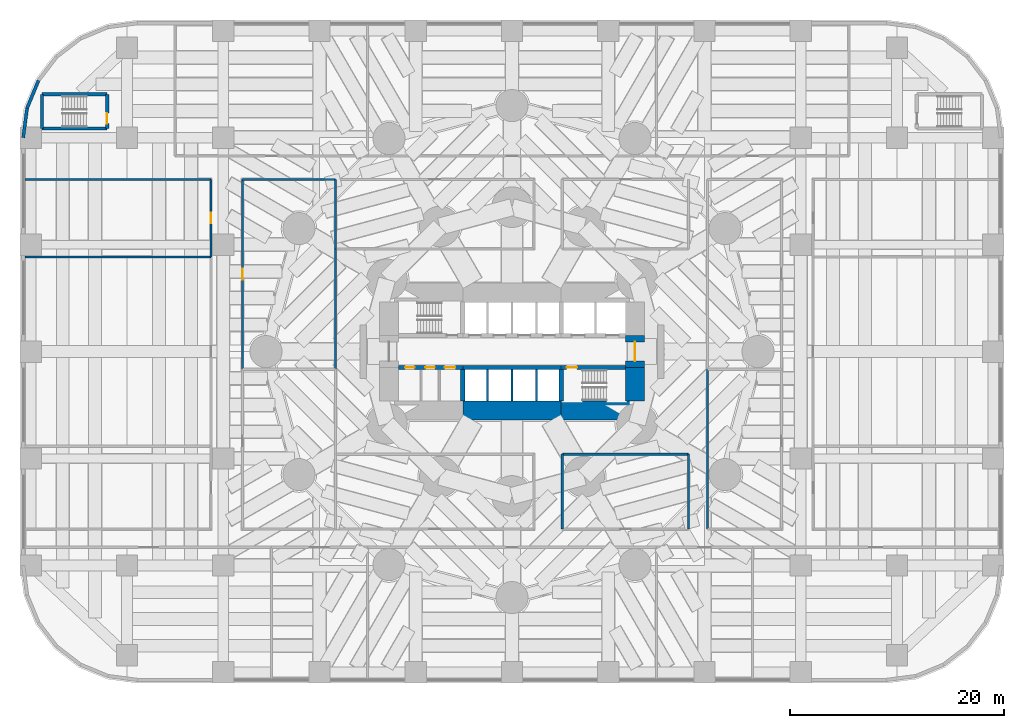
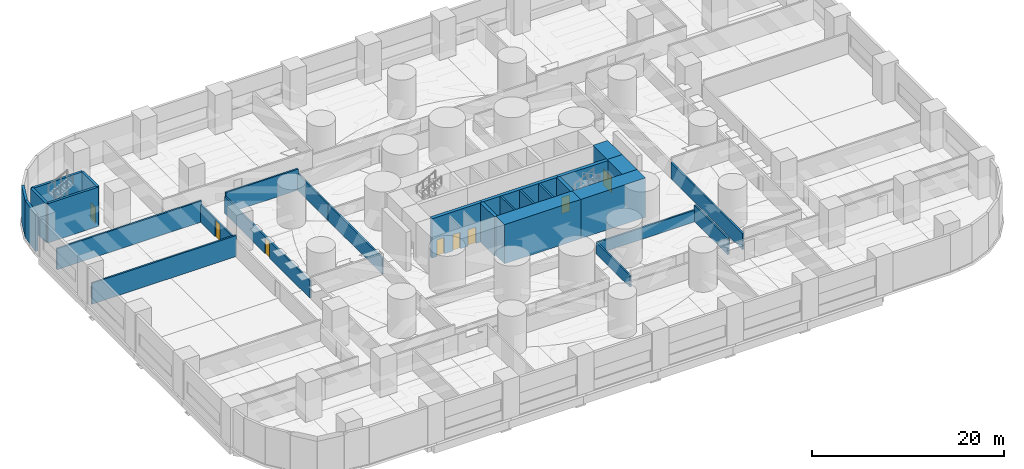
# One storey, part 8 of 17: 29 walls, 8 doors, 8 openings.
"""IFC4 building model written with IfcOpenShell, lengths in metres."""

from ifc_helpers import new_model, si_unit, direction, frame, frame_2d, origin, place, context, subcontext, project, spatial, rectangle, extrude, material, layer, layer_set, type_object, element, fill, save


model = new_model("IFC4")

# Units and contexts
model_context = context("Model", 3, precision=1e-05, world=origin(), true_north=direction((0.0, 1.0)))
body_context = subcontext(model_context, "Body", "Model", "MODEL_VIEW")
ifc_project = project(units=[si_unit("LENGTHUNIT", "METRE"), si_unit("AREAUNIT", "SQUARE_METRE"), si_unit("VOLUMEUNIT", "CUBIC_METRE"), si_unit("PLANEANGLEUNIT", "RADIAN"), si_unit("MASSUNIT", "GRAM", prefix="KILO")], contexts=[model_context])

# Site, building, storey
site_placement = place(None, origin())
site = spatial("IfcSite", under=ifc_project, at=site_placement, CompositionType="ELEMENT")
building_placement = place(site_placement, origin())
building = spatial("IfcBuilding", under=site, at=building_placement, Name="Qaws Media Tower", CompositionType="ELEMENT")
storey_placement = place(building_placement, frame((0.0, 0.0, 15.0)))
storey = spatial("IfcBuildingStorey", under=building, at=storey_placement, Name="L02", CompositionType="ELEMENT", Elevation=15.0)

# Wall, openings, doors
ifc_material_1 = material(Name="Concrete C60/75", Category="concrete")
ifc_layer_1 = layer(ifc_material_1, 0.39990234375)
ifc_layer_set_1 = layer_set([ifc_layer_1], Name="Core inner wall 400")
wall_type_1 = type_object("IfcWallType", Name="Core inner wall 400", PredefinedType="SHEAR", material=ifc_layer_set_1)
wall_1_placement = place(storey_placement, frame((49.3798828125, 48.5, 0.0), z_axis=(0.0, 0.0, 1.0), x_axis=(1.0, 0.0, 0.0)))
wall_1 = element("IfcWall", 1, at=wall_1_placement, inside=storey, type_object=wall_type_1, Name="W310 SW4 core wall SPSW L02", PredefinedType="SHEAR", context=body_context, shape_type="SweptSolid", body=[
    extrude(rectangle(XDim=6.02001953125, YDim=0.39990234375, at=frame_2d((3.010009765625, 0.0))), origin(), (0.0, 0.0, 1.0), 5.0),
])
opening_1_placement = place(wall_1_placement, frame((0.6201171875, 0.0, 0.0)))
opening_1 = element("IfcOpeningElement", 2, at=opening_1_placement, cuts=wall_1, Name="Opening D3", PredefinedType="OPENING", context=body_context, shape_type="SweptSolid", body=[
    extrude(rectangle(XDim=0.89990234375, YDim=2.10009765625, at=frame_2d((0.449951171875, 1.050048828125))), frame((0.0, 0.2099609375, 0.0), z_axis=(0.0, -1.0, 0.0), x_axis=(1.0, 0.0, 0.0)), (0.0, 0.0, 1.0), 0.419921875),
])
opening_2_placement = place(wall_1_placement, frame((2.52001953125, 0.0, 0.0)))
opening_2 = element("IfcOpeningElement", 3, at=opening_2_placement, cuts=wall_1, Name="Opening D3", PredefinedType="OPENING", context=body_context, shape_type="SweptSolid", body=[
    extrude(rectangle(XDim=0.89990234375, YDim=2.10009765625, at=frame_2d((0.449951171875, 1.050048828125))), frame((0.0, 0.2099609375, 0.0), z_axis=(0.0, -1.0, 0.0), x_axis=(1.0, 0.0, 0.0)), (0.0, 0.0, 1.0), 0.419921875),
])
opening_3_placement = place(wall_1_placement, frame((4.320068359375, 0.0, 0.0)))
opening_3 = element("IfcOpeningElement", 4, at=opening_3_placement, cuts=wall_1, Name="Opening D4", PredefinedType="OPENING", context=body_context, shape_type="SweptSolid", body=[
    extrude(rectangle(XDim=1.0, YDim=2.10009765625, at=frame_2d((0.5, 1.050048828125))), frame((0.0, 0.2099609375, 0.0), z_axis=(0.0, -1.0, 0.0), x_axis=(1.0, 0.0, 0.0)), (0.0, 0.0, 1.0), 0.419921875),
])
ifc_material_2 = material(Name="Timber veneered", Category="wood")
door_type_1 = type_object("IfcDoorType", Name="Accessible WC door 1000", OperationType="SLIDING_TO_LEFT", PredefinedType="DOOR", material=ifc_material_2)
door_1_placement = place(opening_3_placement, origin())
door_1 = element("IfcDoor", 5, at=door_1_placement, inside=storey, type_object=door_type_1, Name="D4 toilet door 3 L02 in wall W310", OperationType="SLIDING_TO_LEFT", OverallHeight=2.10009765625, OverallWidth=1.0, PredefinedType="DOOR", context=body_context, shape_type="SweptSolid", body=[
    extrude(rectangle(XDim=1.0, YDim=2.10009765625, at=frame_2d((0.5, 1.050048828125))), frame((0.0, 0.02490234375, 0.0), z_axis=(0.0, -1.0, 0.0), x_axis=(1.0, 0.0, 0.0)), (0.0, 0.0, 1.0), 0.050048828125),
])
fill(opening_3, door_1)
ifc_material_3 = material(Name="Timber veneered", Category="wood")
door_type_2 = type_object("IfcDoorType", Name="Toilet door 900", OperationType="SINGLE_SWING_RIGHT", PredefinedType="DOOR", material=ifc_material_3)
door_2_placement = place(opening_1_placement, origin())
door_2 = element("IfcDoor", 6, at=door_2_placement, inside=storey, type_object=door_type_2, Name="D3 toilet door 1 L02 in wall W310", OperationType="SINGLE_SWING_RIGHT", OverallHeight=2.10009765625, OverallWidth=0.89990234375, PredefinedType="DOOR", context=body_context, shape_type="SweptSolid", body=[
    extrude(rectangle(XDim=0.89990234375, YDim=2.10009765625, at=frame_2d((0.449951171875, 1.050048828125))), frame((0.0, 0.02490234375, 0.0), z_axis=(0.0, -1.0, 0.0), x_axis=(1.0, 0.0, 0.0)), (0.0, 0.0, 1.0), 0.050048828125),
])
fill(opening_1, door_2)
door_3_placement = place(opening_2_placement, origin())
door_3 = element("IfcDoor", 7, at=door_3_placement, inside=storey, type_object=door_type_2, Name="D3 toilet door 2 L02 in wall W310", OperationType="SINGLE_SWING_RIGHT", OverallHeight=2.10009765625, OverallWidth=0.89990234375, PredefinedType="DOOR", context=body_context, shape_type="SweptSolid", body=[
    extrude(rectangle(XDim=0.89990234375, YDim=2.10009765625, at=frame_2d((0.449951171875, 1.050048828125))), frame((0.0, 0.02490234375, 0.0), z_axis=(0.0, -1.0, 0.0), x_axis=(1.0, 0.0, 0.0)), (0.0, 0.0, 1.0), 0.050048828125),
])
fill(opening_2, door_3)

# Wall
wall_2_placement = place(storey_placement, frame((55.39990234375, 48.5, 0.0), z_axis=(0.0, 0.0, 1.0), x_axis=(1.0, 0.0, 0.0)))
element("IfcWall", 8, at=wall_2_placement, inside=storey, type_object=wall_type_1, Name="W313 SW4 core wall SPS L02", PredefinedType="SHEAR", context=body_context, shape_type="SweptSolid", body=[
    extrude(rectangle(XDim=9.2001953125, YDim=0.39990234375, at=frame_2d((4.60009765625, 0.0))), origin(), (0.0, 0.0, 1.0), 5.0),
])

# Wall, opening, door
wall_3_placement = place(storey_placement, frame((64.60009765625, 48.5, 0.0), z_axis=(0.0, 0.0, 1.0), x_axis=(1.0, 0.0, 0.0)))
wall_3 = element("IfcWall", 9, at=wall_3_placement, inside=storey, type_object=wall_type_1, Name="W317 SW4 core wall SPSE L02", PredefinedType="SHEAR", context=body_context, shape_type="SweptSolid", body=[
    extrude(rectangle(XDim=6.02001953125, YDim=0.39990234375, at=frame_2d((3.010009765625, 0.0))), origin(), (0.0, 0.0, 1.0), 5.0),
])
opening_4_placement = place(wall_3_placement, frame((0.5, 0.0, 0.0)))
opening_4 = element("IfcOpeningElement", 10, at=opening_4_placement, cuts=wall_3, Name="Opening D1", PredefinedType="OPENING", context=body_context, shape_type="SweptSolid", body=[
    extrude(rectangle(XDim=1.0, YDim=2.10009765625, at=frame_2d((0.5, 1.050048828125))), frame((0.0, 0.2099609375, 0.0), z_axis=(0.0, -1.0, 0.0), x_axis=(1.0, 0.0, 0.0)), (0.0, 0.0, 1.0), 0.419921875),
])
ifc_material_4 = material(Name="Steel, fire rated", Category="steel")
door_type_3 = type_object("IfcDoorType", Name="Stair door 1000 FD120", OperationType="SINGLE_SWING_LEFT", PredefinedType="DOOR", material=ifc_material_4)
door_4_placement = place(opening_4_placement, origin())
door_4 = element("IfcDoor", 11, at=door_4_placement, inside=storey, type_object=door_type_3, Name="D1 stair S2 door L02 in wall W317", OperationType="SINGLE_SWING_LEFT", OverallHeight=2.10009765625, OverallWidth=1.0, PredefinedType="DOOR", context=body_context, shape_type="SweptSolid", body=[
    extrude(rectangle(XDim=1.0, YDim=2.10009765625, at=frame_2d((0.5, 1.050048828125))), frame((0.0, 0.02490234375, 0.0), z_axis=(0.0, -1.0, 0.0), x_axis=(1.0, 0.0, 0.0)), (0.0, 0.0, 1.0), 0.050048828125),
])
fill(opening_4, door_4)

# Walls
for number, where, z_axis, x_axis, name in (
    (12, (55.39990234375, 48.320068359375, 0.0), (0.0, 0.0, 1.0), (0.0, -1.0, 0.0), "W312 SW4 core wall XSW L02"),
    (13, (64.60009765625, 48.320068359375, 0.0), (0.0, 0.0, 1.0), (0.0, -1.0, 0.0), "W316 SW4 core wall XSE L02"),
):
    element("IfcWall", number, at=place(storey_placement, frame(where, z_axis=z_axis, x_axis=x_axis)), inside=storey, type_object=wall_type_1, Name=name, PredefinedType="SHEAR", context=body_context, shape_type="SweptSolid", body=[
        extrude(rectangle(XDim=2.940185546875, YDim=0.39990234375, at=frame_2d((1.47021484375, 0.0))), origin(), (0.0, 0.0, 1.0), 5.0),
    ])
ifc_material_5 = material(Name="Concrete C60/75", Category="concrete")
ifc_layer_2 = layer(ifc_material_5, 1.800048828125)
ifc_layer_set_2 = layer_set([ifc_layer_2], Name="Core wall 1800")
wall_type_2 = type_object("IfcWallType", Name="Core wall 1800", PredefinedType="SHEAR", material=ifc_layer_set_2)
wall_4_placement = place(storey_placement, frame((55.39990234375, 44.5, 0.0), z_axis=(0.0, 0.0, 1.0), x_axis=(1.0, 0.0, 0.0)))
element("IfcWall", 14, at=wall_4_placement, inside=storey, type_object=wall_type_2, Name="W403 SW11 core wall S L02", PredefinedType="SHEAR", context=body_context, shape_type="SweptSolid", body=[
    extrude(rectangle(XDim=9.2001953125, YDim=1.800048828125, at=frame_2d((4.60009765625, 0.0))), origin(), (0.0, 0.0, 1.0), 5.0),
])
wall_5_placement = place(storey_placement, frame((64.60009765625, 44.5, 0.0), z_axis=(0.0, 0.0, 1.0), x_axis=(1.0, 0.0, 0.0)))
element("IfcWall", 15, at=wall_5_placement, inside=storey, type_object=wall_type_2, Name="W405 SW11 core wall SE L02", PredefinedType="SHEAR", context=body_context, shape_type="SweptSolid", body=[
    extrude(rectangle(XDim=7.7998046875, YDim=1.800048828125, at=frame_2d((3.89990234375, 0.0))), origin(), (0.0, 0.0, 1.0), 5.0),
])
wall_6_placement = place(storey_placement, frame((71.5, 45.3798828125, 0.0), z_axis=(0.0, 0.0, 1.0), x_axis=(0.0, 1.0, 0.0)))
element("IfcWall", 16, at=wall_6_placement, inside=storey, type_object=wall_type_2, Name="W407 SW11 core wall ES L02", PredefinedType="SHEAR", context=body_context, shape_type="SweptSolid", body=[
    extrude(rectangle(XDim=3.1201171875, YDim=1.800048828125, at=frame_2d((1.56005859375, 0.0))), origin(), (0.0, 0.0, 1.0), 5.0),
])

# Wall, opening, door
wall_7_placement = place(storey_placement, frame((71.5, 48.5, 0.0), z_axis=(0.0, 0.0, 1.0), x_axis=(0.0, 1.0, 0.0)))
wall_7 = element("IfcWall", 17, at=wall_7_placement, inside=storey, type_object=wall_type_2, Name="W408 SW11 core wall E L02", PredefinedType="SHEAR", context=body_context, shape_type="SweptSolid", body=[
    extrude(rectangle(XDim=3.0, YDim=1.800048828125, at=frame_2d((1.5, 0.0))), origin(), (0.0, 0.0, 1.0), 5.0),
])
opening_5_placement = place(wall_7_placement, frame((0.60009765625, 0.0, 0.0)))
opening_5 = element("IfcOpeningElement", 18, at=opening_5_placement, cuts=wall_7, Name="Opening D2", PredefinedType="OPENING", context=body_context, shape_type="SweptSolid", body=[
    extrude(rectangle(XDim=1.800048828125, YDim=2.10009765625, at=frame_2d((0.89990234375, 1.050048828125))), frame((0.0, 0.909912109375, 0.0), z_axis=(0.0, -1.0, 0.0), x_axis=(1.0, 0.0, 0.0)), (0.0, 0.0, 1.0), 1.820068359375),
])
ifc_material_6 = material(Name="Steel and glass, fire rated", Category="steel")
door_type_4 = type_object("IfcDoorType", Name="Lobby door pair 1800 FD60", OperationType="DOUBLE_DOOR_DOUBLE_SWING", PredefinedType="DOOR", material=ifc_material_6)
door_5_placement = place(opening_5_placement, origin())
door_5 = element("IfcDoor", 19, at=door_5_placement, inside=storey, type_object=door_type_4, Name="D2 core lobby door E L02 in wall W408", OperationType="DOUBLE_DOOR_DOUBLE_SWING", OverallHeight=2.10009765625, OverallWidth=1.800048828125, PredefinedType="DOOR", context=body_context, shape_type="SweptSolid", body=[
    extrude(rectangle(XDim=1.800048828125, YDim=2.10009765625, at=frame_2d((0.89990234375, 1.050048828125))), frame((0.0, 0.02490234375, 0.0), z_axis=(0.0, -1.0, 0.0), x_axis=(1.0, 0.0, 0.0)), (0.0, 0.0, 1.0), 0.050048828125),
])
fill(opening_5, door_5)

# Walls
ifc_material_7 = material(Name="Precast concrete, exposed finish", Category="concrete")
ifc_layer_3 = layer(ifc_material_7, 0.300048828125)
ifc_layer_set_3 = layer_set([ifc_layer_3], Name="Podium facade wall 300")
wall_type_3 = type_object("IfcWallType", Name="Podium facade wall 300", PredefinedType="SOLIDWALL", material=ifc_layer_set_3)
wall_8_placement = place(storey_placement, frame((15.733642578125, 75.35009765625, 0.0), z_axis=(0.0, 0.0, 1.0), x_axis=(-0.382709424419, -0.923868765822, 0.0)))
element("IfcWall", 20, at=wall_8_placement, inside=storey, type_object=wall_type_3, Name="W768 EW2 podium wall L02-19", PredefinedType="SOLIDWALL", context=body_context, shape_type="SweptSolid", body=[
    extrude(rectangle(XDim=2.79345703125, YDim=0.300048828125, at=frame_2d((1.396728515625, 0.0))), origin(), (0.0, 0.0, 1.0), 4.699951171875),
])
wall_9_placement = place(storey_placement, frame((14.66455078125, 72.769287109375, 0.0), z_axis=(0.0, 0.0, 1.0), x_axis=(-0.130497471798, -0.991448642066, 0.0)))
element("IfcWall", 21, at=wall_9_placement, inside=storey, type_object=wall_type_3, Name="W766 EW2 podium wall L02-20", PredefinedType="SOLIDWALL", context=body_context, shape_type="SweptSolid", body=[
    extrude(rectangle(XDim=2.793212890625, YDim=0.300048828125, at=frame_2d((1.396484375, 0.0))), origin(), (0.0, 0.0, 1.0), 4.699951171875),
])

# Wall, opening, door
ifc_material_8 = material(Name="Gypsum board on galvanised metal studs, acoustic double stud, deflection head", Category="gypsum")
ifc_layer_4 = layer(ifc_material_8, 0.199951171875)
ifc_layer_set_4 = layer_set([ifc_layer_4], Name="Room partition 200")
wall_type_4 = type_object("IfcWallType", Name="Room partition 200", PredefinedType="PARTITIONING", material=ifc_layer_set_4)
wall_10_placement = place(storey_placement, frame((31.85009765625, 58.85009765625, 0.0), z_axis=(0.0, 0.0, 1.0), x_axis=(0.0, 1.0, 0.0)))
wall_10 = element("IfcWall", 22, at=wall_10_placement, inside=storey, type_object=wall_type_4, Name="W928 IW3 partition L02", PredefinedType="PARTITIONING", context=body_context, shape_type="SweptSolid", body=[
    extrude(rectangle(XDim=7.25, YDim=0.199951171875, at=frame_2d((3.625, 0.0))), origin(), (0.0, 0.0, 1.0), 2.179931640625),
])
opening_6_placement = place(wall_10_placement, frame((3.125, 0.0, 0.0)))
opening_6 = element("IfcOpeningElement", 23, at=opening_6_placement, cuts=wall_10, Name="Opening D5", PredefinedType="OPENING", context=body_context, shape_type="SweptSolid", body=[
    extrude(rectangle(XDim=1.0, YDim=2.10009765625, at=frame_2d((0.5, 1.050048828125))), frame((0.0, 0.10986328125, 0.0), z_axis=(0.0, -1.0, 0.0), x_axis=(1.0, 0.0, 0.0)), (0.0, 0.0, 1.0), 0.219970703125),
])
ifc_material_9 = material(Name="Timber veneered, acoustic seal", Category="wood")
door_type_5 = type_object("IfcDoorType", Name="Room door 1000", OperationType="SINGLE_SWING_LEFT", PredefinedType="DOOR", material=ifc_material_9)
door_6_placement = place(opening_6_placement, origin())
door_6 = element("IfcDoor", 24, at=door_6_placement, inside=storey, type_object=door_type_5, Name="D5 Footage viewing room door in wall W928", OperationType="SINGLE_SWING_LEFT", OverallHeight=2.10009765625, OverallWidth=1.0, PredefinedType="DOOR", context=body_context, shape_type="SweptSolid", body=[
    extrude(rectangle(XDim=1.0, YDim=2.10009765625, at=frame_2d((0.5, 1.050048828125))), frame((0.0, 0.02490234375, 0.0), z_axis=(0.0, -1.0, 0.0), x_axis=(1.0, 0.0, 0.0)), (0.0, 0.0, 1.0), 0.050048828125),
])
fill(opening_6, door_6)

wall_11_placement = place(storey_placement, frame((34.800048828125, 48.35009765625, 0.0), z_axis=(0.0, 0.0, 1.0), x_axis=(0.0, 1.0, 0.0)))
wall_11 = element("IfcWall", 25, at=wall_11_placement, inside=storey, type_object=wall_type_4, Name="W898 IW3 partition L02", PredefinedType="PARTITIONING", context=body_context, shape_type="SweptSolid", body=[
    extrude(rectangle(XDim=17.75, YDim=0.199951171875, at=frame_2d((8.875, 0.0))), origin(), (0.0, 0.0, 1.0), 2.179931640625),
])
opening_7_placement = place(wall_11_placement, frame((8.375, 0.0, 0.0)))
opening_7 = element("IfcOpeningElement", 26, at=opening_7_placement, cuts=wall_11, Name="Opening D5", PredefinedType="OPENING", context=body_context, shape_type="SweptSolid", body=[
    extrude(rectangle(XDim=1.0, YDim=2.10009765625, at=frame_2d((0.5, 1.050048828125))), frame((0.0, 0.10986328125, 0.0), z_axis=(0.0, -1.0, 0.0), x_axis=(1.0, 0.0, 0.0)), (0.0, 0.0, 1.0), 0.219970703125),
])
door_7_placement = place(opening_7_placement, origin())
door_7 = element("IfcDoor", 27, at=door_7_placement, inside=storey, type_object=door_type_5, Name="D5 Sound effects library door in wall W898", OperationType="SINGLE_SWING_LEFT", OverallHeight=2.10009765625, OverallWidth=1.0, PredefinedType="DOOR", context=body_context, shape_type="SweptSolid", body=[
    extrude(rectangle(XDim=1.0, YDim=2.10009765625, at=frame_2d((0.5, 1.050048828125))), frame((0.0, 0.02490234375, 0.0), z_axis=(0.0, -1.0, 0.0), x_axis=(1.0, 0.0, 0.0)), (0.0, 0.0, 1.0), 0.050048828125),
])
fill(opening_7, door_7)

# Walls
wall_12_placement = place(storey_placement, frame((43.5, 48.35009765625, 0.0), z_axis=(0.0, 0.0, 1.0), x_axis=(0.0, 1.0, 0.0)))
element("IfcWall", 28, at=wall_12_placement, inside=storey, type_object=wall_type_4, Name="W858 IW3 partition L02", PredefinedType="PARTITIONING", context=body_context, shape_type="SweptSolid", body=[
    extrude(rectangle(XDim=11.25, YDim=0.199951171875, at=frame_2d((5.625, 0.0))), origin(), (0.0, 0.0, 1.0), 2.080078125),
])
wall_13_placement = place(storey_placement, frame((43.5, 59.60009765625, 0.0), z_axis=(0.0, 0.0, 1.0), x_axis=(0.0, 1.0, 0.0)))
element("IfcWall", 29, at=wall_13_placement, inside=storey, type_object=wall_type_4, Name="W821 IW3 partition L02", PredefinedType="PARTITIONING", context=body_context, shape_type="SweptSolid", body=[
    extrude(rectangle(XDim=6.5, YDim=0.199951171875, at=frame_2d((3.25, 0.0))), origin(), (0.0, 0.0, 1.0), 2.080078125),
])
wall_14_placement = place(storey_placement, frame((64.699951171875, 33.39990234375, 0.0), z_axis=(0.0, 0.0, 1.0), x_axis=(0.0, 1.0, 0.0)))
element("IfcWall", 30, at=wall_14_placement, inside=storey, type_object=wall_type_4, Name="W826 IW3 partition L02", PredefinedType="PARTITIONING", context=body_context, shape_type="SweptSolid", body=[
    extrude(rectangle(XDim=7.0, YDim=0.199951171875, at=frame_2d((3.5, 0.0))), origin(), (0.0, 0.0, 1.0), 1.47998046875),
])
wall_15_placement = place(storey_placement, frame((76.5, 33.39990234375, 0.0), z_axis=(0.0, 0.0, 1.0), x_axis=(0.0, 1.0, 0.0)))
element("IfcWall", 31, at=wall_15_placement, inside=storey, type_object=wall_type_4, Name="W833 IW3 partition L02", PredefinedType="PARTITIONING", context=body_context, shape_type="SweptSolid", body=[
    extrude(rectangle(XDim=7.0, YDim=0.199951171875, at=frame_2d((3.5, 0.0))), origin(), (0.0, 0.0, 1.0), 2.080078125),
])
wall_16_placement = place(storey_placement, frame((78.27001953125, 33.39990234375, 0.0), z_axis=(0.0, 0.0, 1.0), x_axis=(0.0, 1.0, 0.0)))
element("IfcWall", 32, at=wall_16_placement, inside=storey, type_object=wall_type_4, Name="W907 IW3 partition L02", PredefinedType="PARTITIONING", context=body_context, shape_type="SweptSolid", body=[
    extrude(rectangle(XDim=14.9501953125, YDim=0.199951171875, at=frame_2d((7.47509765625, 0.0))), origin(), (0.0, 0.0, 1.0), 2.080078125),
])
wall_17_placement = place(storey_placement, frame((64.699951171875, 40.39990234375, 0.0), z_axis=(0.0, 0.0, 1.0), x_axis=(1.0, 0.0, 0.0)))
element("IfcWall", 33, at=wall_17_placement, inside=storey, type_object=wall_type_4, Name="W828 IW3 partition L02", PredefinedType="PARTITIONING", context=body_context, shape_type="SweptSolid", body=[
    extrude(rectangle(XDim=11.800048828125, YDim=0.199951171875, at=frame_2d((5.89990234375, 0.0))), origin(), (0.0, 0.0, 1.0), 1.47998046875),
])
for number, where, z_axis, x_axis, name in (
    (34, (14.455078125, 58.85009765625, 0.0), (0.0, 0.0, 1.0), (1.0, 0.0, 0.0), "W924 IW3 partition L02"),
    (35, (14.455078125, 66.10009765625, 0.0), (0.0, 0.0, 1.0), (1.0, 0.0, 0.0), "W925 IW3 partition L02"),
):
    element("IfcWall", number, at=place(storey_placement, frame(where, z_axis=z_axis, x_axis=x_axis)), inside=storey, type_object=wall_type_4, Name=name, PredefinedType="PARTITIONING", context=body_context, shape_type="SweptSolid", body=[
        extrude(rectangle(XDim=17.39501953125, YDim=0.199951171875, at=frame_2d((8.697509765625, 0.0))), origin(), (0.0, 0.0, 1.0), 2.679931640625),
    ])
wall_18_placement = place(storey_placement, frame((34.800048828125, 66.10009765625, 0.0), z_axis=(0.0, 0.0, 1.0), x_axis=(1.0, 0.0, 0.0)))
element("IfcWall", 36, at=wall_18_placement, inside=storey, type_object=wall_type_4, Name="W900 IW3 partition L02", PredefinedType="PARTITIONING", context=body_context, shape_type="SweptSolid", body=[
    extrude(rectangle(XDim=8.699951171875, YDim=0.199951171875, at=frame_2d((4.35009765625, 0.0))), origin(), (0.0, 0.0, 1.0), 2.679931640625),
])
ifc_material_10 = material(Name="Fire-rated gypsum board shaft wall on galvanised metal studs, deflection head", Category="gypsum")
ifc_layer_5 = layer(ifc_material_10, 0.199951171875)
ifc_layer_set_5 = layer_set([ifc_layer_5], Name="Shaft wall 200")
wall_type_5 = type_object("IfcWallType", Name="Shaft wall 200", PredefinedType="PARTITIONING", material=ifc_layer_set_5)
for number, where, z_axis, x_axis, name in (
    (37, (57.699951171875, 45.39990234375, 0.0), (0.0, 0.0, 1.0), (0.0, 1.0, 0.0), "W1835 IW1 shaft wall S1 L02"),
    (38, (60.0, 45.39990234375, 0.0), (0.0, 0.0, 1.0), (0.0, 1.0, 0.0), "W1837 IW1 shaft wall S2 L02"),
    (39, (62.300048828125, 45.39990234375, 0.0), (0.0, 0.0, 1.0), (0.0, 1.0, 0.0), "W1839 IW1 shaft wall S3 L02"),
):
    element("IfcWall", number, at=place(storey_placement, frame(where, z_axis=z_axis, x_axis=x_axis)), inside=storey, type_object=wall_type_5, Name=name, PredefinedType="PARTITIONING", context=body_context, shape_type="SweptSolid", body=[
        extrude(rectangle(XDim=2.900146484375, YDim=0.199951171875, at=frame_2d((1.4501953125, 0.0))), origin(), (0.0, 0.0, 1.0), 5.0),
    ])
ifc_material_11 = material(Name="Concrete C60/75", Category="concrete")
ifc_layer_6 = layer(ifc_material_11, 0.300048828125)
ifc_layer_set_6 = layer_set([ifc_layer_6], Name="Stair enclosure wall 300")
wall_type_6 = type_object("IfcWallType", Name="Stair enclosure wall 300", PredefinedType="SHEAR", material=ifc_layer_set_6)
for number, where, z_axis, x_axis, name in (
    (40, (16.050048828125, 70.85009765625, 0.0), (0.0, 0.0, 1.0), (1.0, 0.0, 0.0), "W1883 SW7 stair S3 enclosure S L02"),
    (41, (16.050048828125, 74.050048828125, 0.0), (0.0, 0.0, 1.0), (1.0, 0.0, 0.0), "W1884 SW7 stair S3 enclosure N L02"),
):
    element("IfcWall", number, at=place(storey_placement, frame(where, z_axis=z_axis, x_axis=x_axis)), inside=storey, type_object=wall_type_6, Name=name, PredefinedType="SHEAR", context=body_context, shape_type="SweptSolid", body=[
        extrude(rectangle(XDim=6.099853515625, YDim=0.300048828125, at=frame_2d((3.0498046875, 0.0))), origin(), (0.0, 0.0, 1.0), 5.0),
    ])
wall_19_placement = place(storey_placement, frame((16.050048828125, 70.85009765625, 0.0), z_axis=(0.0, 0.0, 1.0), x_axis=(0.0, 1.0, 0.0)))
element("IfcWall", 42, at=wall_19_placement, inside=storey, type_object=wall_type_6, Name="W1882 SW7 stair S3 enclosure W L02", PredefinedType="SHEAR", context=body_context, shape_type="SweptSolid", body=[
    extrude(rectangle(XDim=3.199951171875, YDim=0.300048828125, at=frame_2d((1.60009765625, 0.0))), origin(), (0.0, 0.0, 1.0), 5.0),
])

# Wall, opening, door
wall_20_placement = place(storey_placement, frame((22.14990234375, 70.85009765625, 0.0), z_axis=(0.0, 0.0, 1.0), x_axis=(0.0, 1.0, 0.0)))
wall_20 = element("IfcWall", 43, at=wall_20_placement, inside=storey, type_object=wall_type_6, Name="W1885 SW7 stair S3 enclosure E L02", PredefinedType="SHEAR", context=body_context, shape_type="SweptSolid", body=[
    extrude(rectangle(XDim=3.199951171875, YDim=0.300048828125, at=frame_2d((1.60009765625, 0.0))), origin(), (0.0, 0.0, 1.0), 5.0),
])
opening_8_placement = place(wall_20_placement, frame((0.449951171875, 0.0, 0.0)))
opening_8 = element("IfcOpeningElement", 44, at=opening_8_placement, cuts=wall_20, Name="Opening D1", PredefinedType="OPENING", context=body_context, shape_type="SweptSolid", body=[
    extrude(rectangle(XDim=1.0, YDim=2.10009765625, at=frame_2d((0.5, 1.050048828125))), frame((0.0, 0.159912109375, 0.0), z_axis=(0.0, -1.0, 0.0), x_axis=(1.0, 0.0, 0.0)), (0.0, 0.0, 1.0), 0.320068359375),
])
door_8_placement = place(opening_8_placement, origin())
door_8 = element("IfcDoor", 45, at=door_8_placement, inside=storey, type_object=door_type_3, Name="D1 stair S3 door L02 in wall W1885", OperationType="SINGLE_SWING_LEFT", OverallHeight=2.10009765625, OverallWidth=1.0, PredefinedType="DOOR", context=body_context, shape_type="SweptSolid", body=[
    extrude(rectangle(XDim=1.0, YDim=2.10009765625, at=frame_2d((0.5, 1.050048828125))), frame((0.0, 0.02490234375, 0.0), z_axis=(0.0, -1.0, 0.0), x_axis=(1.0, 0.0, 0.0)), (0.0, 0.0, 1.0), 0.050048828125),
])
fill(opening_8, door_8)

save(model, "model.ifc")
